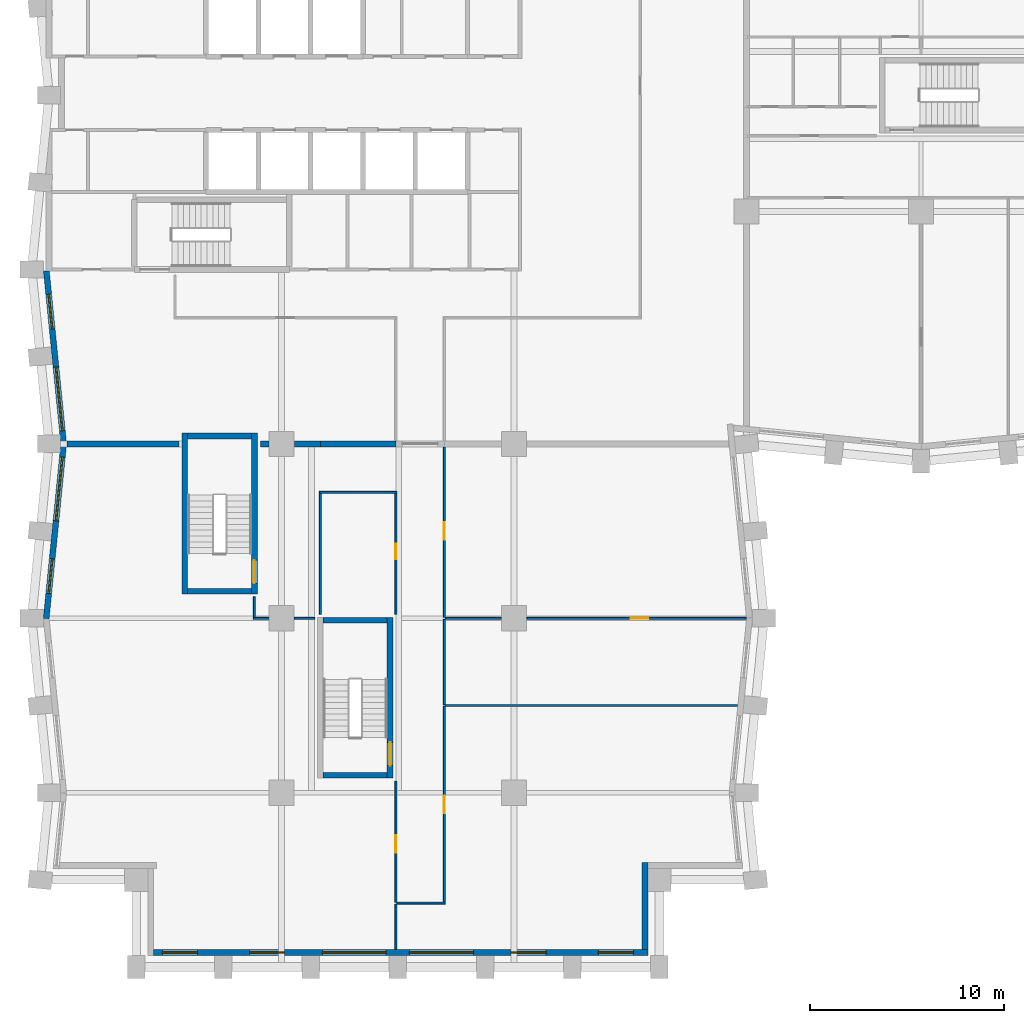
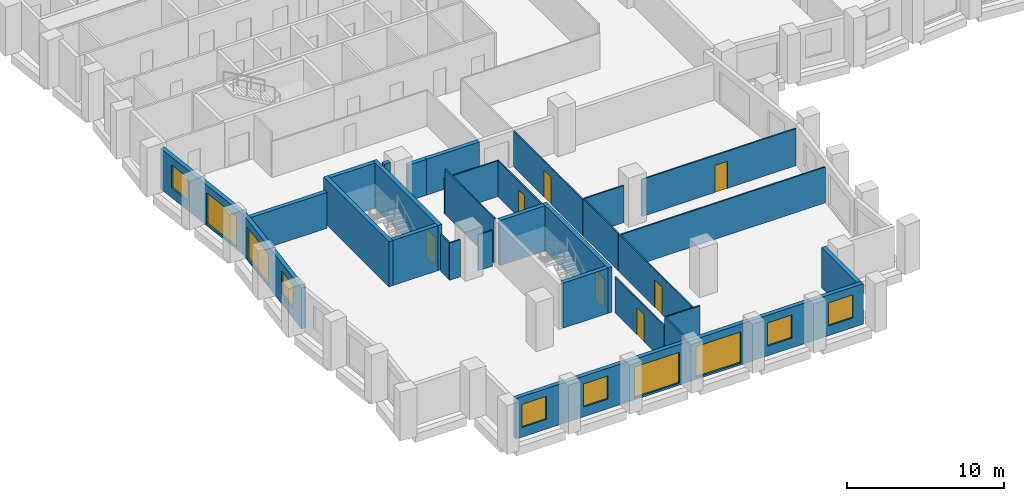
# One storey, part 3 of 11: 30 walls, 10 windows, 7 doors, 17 openings.
"""IFC4 building model written with IfcOpenShell, lengths in metres."""

from ifc_helpers import new_model, si_unit, direction, frame, frame_2d, origin, place, context, subcontext, project, spatial, rectangle, extrude, material, layer, layer_set, type_object, element, fill, save


model = new_model("IFC4")

# Units and contexts
model_context = context("Model", 3, precision=1e-05, world=origin(), true_north=direction((0.0, 1.0)))
body_context = subcontext(model_context, "Body", "Model", "MODEL_VIEW")
ifc_project = project(units=[si_unit("LENGTHUNIT", "METRE"), si_unit("AREAUNIT", "SQUARE_METRE"), si_unit("VOLUMEUNIT", "CUBIC_METRE"), si_unit("PLANEANGLEUNIT", "RADIAN"), si_unit("MASSUNIT", "GRAM", prefix="KILO")], contexts=[model_context])

# Site, building, storey
site_placement = place(None, origin())
site = spatial("IfcSite", under=ifc_project, at=site_placement, CompositionType="ELEMENT")
building_placement = place(site_placement, origin())
building = spatial("IfcBuilding", under=site, at=building_placement, Name="Brondeck Convention Tower", CompositionType="ELEMENT")
storey_placement = place(building_placement, frame((0.0, 0.0, 92.300048828125)))
storey = spatial("IfcBuildingStorey", under=building, at=storey_placement, Name="L21", CompositionType="ELEMENT", Elevation=92.300048828125)

# Walls
ifc_material_1 = material(Name="Concrete compartment wall C30/37", Category="concrete")
ifc_layer_1 = layer(ifc_material_1, 0.300048828125)
ifc_layer_set_1 = layer_set([ifc_layer_1], Name="Compartment wall 300")
wall_type_1 = type_object("IfcWallType", Name="Compartment wall 300", PredefinedType="PARTITIONING", material=ifc_layer_set_1)
wall_1_placement = place(storey_placement, frame((0.924560546875, 27.0, 0.0), z_axis=(0.0, 0.0, 1.0), x_axis=(1.0, 0.0, 0.0)))
element("IfcWall", 1, at=wall_1_placement, inside=storey, type_object=wall_type_1, Name="FLR-L21-W016", PredefinedType="PARTITIONING", context=body_context, shape_type="SweptSolid", body=[
    extrude(rectangle(XDim=5.775390625, YDim=0.300048828125, at=frame_2d((2.8876953125, 0.0))), origin(), (0.0, 0.0, 1.0), 2.780029296875),
])
wall_2_placement = place(storey_placement, frame((10.89990234375, 27.0, 0.0), z_axis=(0.0, 0.0, 1.0), x_axis=(1.0, 0.0, 0.0)))
element("IfcWall", 2, at=wall_2_placement, inside=storey, type_object=wall_type_1, Name="FLR-L21-W017", PredefinedType="PARTITIONING", context=body_context, shape_type="SweptSolid", body=[
    extrude(rectangle(XDim=0.445068359375, YDim=0.300048828125, at=frame_2d((0.22265625, 0.0))), origin(), (0.0, 0.0, 1.0), 3.47998046875),
])
wall_3_placement = place(storey_placement, frame((12.655029296875, 27.0, 0.0), z_axis=(0.0, 0.0, 1.0), x_axis=(1.0, 0.0, 0.0)))
element("IfcWall", 3, at=wall_3_placement, inside=storey, type_object=wall_type_1, Name="FLR-L21-W018", PredefinedType="PARTITIONING", context=body_context, shape_type="SweptSolid", body=[
    extrude(rectangle(XDim=1.344970703125, YDim=0.300048828125, at=frame_2d((0.67236328125, 0.0))), origin(), (0.0, 0.0, 1.0), 2.780029296875),
])
wall_4_placement = place(storey_placement, frame((14.0, 27.0, 0.0), z_axis=(0.0, 0.0, 1.0), x_axis=(1.0, 0.0, 0.0)))
element("IfcWall", 4, at=wall_4_placement, inside=storey, type_object=wall_type_1, Name="FLR-L21-W019", PredefinedType="PARTITIONING", context=body_context, shape_type="SweptSolid", body=[
    extrude(rectangle(XDim=3.89990234375, YDim=0.300048828125, at=frame_2d((1.949951171875, 0.0))), origin(), (0.0, 0.0, 1.0), 2.780029296875),
])

# Wall, openings, windows
ifc_material_2 = material(Name="Precast concrete C50/60 bronze finish", Category="concrete")
ifc_layer_2 = layer(ifc_material_2, 0.070068359375, Name="Bronze precast facing")
ifc_material_3 = material(Name="Mineral wool")
ifc_layer_3 = layer(ifc_material_3, 0.159912109375, Name="Insulation")
ifc_material_4 = material(Name="Concrete C35/45", Category="concrete")
ifc_layer_4 = layer(ifc_material_4, 0.070068359375, Name="Backing")
ifc_layer_set_2 = layer_set([ifc_layer_2, ifc_layer_3, ifc_layer_4], Name="External infill wall, precast concrete C50/60 bronze facing")
wall_type_2 = type_object("IfcWallType", Name="External infill wall, precast concrete C50/60 bronze facing", PredefinedType="SOLIDWALL", material=ifc_layer_set_2)
wall_5_placement = place(storey_placement, frame((30.89990234375, 0.75, 0.0), z_axis=(0.0, 0.0, 1.0), x_axis=(-1.0, 0.0, 0.0)))
wall_5 = element("IfcWall", 5, at=wall_5_placement, inside=storey, type_object=wall_type_2, Name="ENV-EW-L21-P0-B-S0-01", PredefinedType="SOLIDWALL", context=body_context, shape_type="SweptSolid", body=[
    extrude(rectangle(XDim=25.5, YDim=0.300048828125, at=frame_2d((12.75, 0.0))), origin(), (0.0, 0.0, 1.0), 3.14990234375),
])
opening_1_placement = place(wall_5_placement, frame((0.75, 0.0, 0.75)))
opening_1 = element("IfcOpeningElement", 6, at=opening_1_placement, cuts=wall_5, Name="Opening W10", PredefinedType="OPENING", context=body_context, shape_type="SweptSolid", body=[
    extrude(rectangle(XDim=1.800048828125, YDim=1.800048828125, at=frame_2d((0.89990234375, 0.89990234375))), frame((0.0, 0.159912109375, 0.0), z_axis=(0.0, -1.0, 0.0), x_axis=(1.0, 0.0, 0.0)), (0.0, 0.0, 1.0), 0.320068359375),
])
opening_2_placement = place(wall_5_placement, frame((5.25, 0.0, 0.75)))
opening_2 = element("IfcOpeningElement", 7, at=opening_2_placement, cuts=wall_5, Name="Opening W10", PredefinedType="OPENING", context=body_context, shape_type="SweptSolid", body=[
    extrude(rectangle(XDim=1.800048828125, YDim=1.800048828125, at=frame_2d((0.89990234375, 0.89990234375))), frame((0.0, 0.159912109375, 0.0), z_axis=(0.0, -1.0, 0.0), x_axis=(1.0, 0.0, 0.0)), (0.0, 0.0, 1.0), 0.320068359375),
])
opening_3_placement = place(wall_5_placement, frame((9.0, 0.0, 0.14990234375)))
opening_3 = element("IfcOpeningElement", 8, at=opening_3_placement, cuts=wall_5, Name="Opening W9", PredefinedType="OPENING", context=body_context, shape_type="SweptSolid", body=[
    extrude(rectangle(XDim=3.300048828125, YDim=2.39990234375, at=frame_2d((1.64990234375, 1.199951171875))), frame((0.0, 0.159912109375, 0.0), z_axis=(0.0, -1.0, 0.0), x_axis=(1.0, 0.0, 0.0)), (0.0, 0.0, 1.0), 0.320068359375),
])
opening_4_placement = place(wall_5_placement, frame((13.5, 0.0, 0.14990234375)))
opening_4 = element("IfcOpeningElement", 9, at=opening_4_placement, cuts=wall_5, Name="Opening W9", PredefinedType="OPENING", context=body_context, shape_type="SweptSolid", body=[
    extrude(rectangle(XDim=3.300048828125, YDim=2.39990234375, at=frame_2d((1.64990234375, 1.199951171875))), frame((0.0, 0.159912109375, 0.0), z_axis=(0.0, -1.0, 0.0), x_axis=(1.0, 0.0, 0.0)), (0.0, 0.0, 1.0), 0.320068359375),
])
opening_5_placement = place(wall_5_placement, frame((18.75, 0.0, 0.75)))
opening_5 = element("IfcOpeningElement", 10, at=opening_5_placement, cuts=wall_5, Name="Opening W10", PredefinedType="OPENING", context=body_context, shape_type="SweptSolid", body=[
    extrude(rectangle(XDim=1.800048828125, YDim=1.800048828125, at=frame_2d((0.89990234375, 0.89990234375))), frame((0.0, 0.159912109375, 0.0), z_axis=(0.0, -1.0, 0.0), x_axis=(1.0, 0.0, 0.0)), (0.0, 0.0, 1.0), 0.320068359375),
])
opening_6_placement = place(wall_5_placement, frame((23.25, 0.0, 0.75)))
opening_6 = element("IfcOpeningElement", 11, at=opening_6_placement, cuts=wall_5, Name="Opening W10", PredefinedType="OPENING", context=body_context, shape_type="SweptSolid", body=[
    extrude(rectangle(XDim=1.800048828125, YDim=1.800048828125, at=frame_2d((0.89990234375, 0.89990234375))), frame((0.0, 0.159912109375, 0.0), z_axis=(0.0, -1.0, 0.0), x_axis=(1.0, 0.0, 0.0)), (0.0, 0.0, 1.0), 0.320068359375),
])
ifc_material_5 = material(Name="Bronze tinted double glazing", Category="glass")
window_type_1 = type_object("IfcWindowType", Name="Glazed flute window, bronze tinted", PartitioningType="SINGLE_PANEL", PredefinedType="WINDOW", material=ifc_material_5)
window_1_placement = place(opening_3_placement, origin())
window_1 = element("IfcWindow", 12, at=window_1_placement, inside=storey, type_object=window_type_1, Name="ENV-WN-L21-P0-B-S0-04", OverallHeight=2.39990234375, OverallWidth=3.300048828125, PartitioningType="SINGLE_PANEL", PredefinedType="WINDOW", context=body_context, shape_type="SweptSolid", body=[
    extrude(rectangle(XDim=3.300048828125, YDim=2.39990234375, at=frame_2d((1.64990234375, 1.199951171875))), frame((0.0, 0.030029296875, 0.0), z_axis=(0.0, -1.0, 0.0), x_axis=(1.0, 0.0, 0.0)), (0.0, 0.0, 1.0), 0.06005859375),
])
fill(opening_3, window_1)
window_2_placement = place(opening_4_placement, origin())
window_2 = element("IfcWindow", 13, at=window_2_placement, inside=storey, type_object=window_type_1, Name="ENV-WN-L21-P0-B-S0-03", OverallHeight=2.39990234375, OverallWidth=3.300048828125, PartitioningType="SINGLE_PANEL", PredefinedType="WINDOW", context=body_context, shape_type="SweptSolid", body=[
    extrude(rectangle(XDim=3.300048828125, YDim=2.39990234375, at=frame_2d((1.64990234375, 1.199951171875))), frame((0.0, 0.030029296875, 0.0), z_axis=(0.0, -1.0, 0.0), x_axis=(1.0, 0.0, 0.0)), (0.0, 0.0, 1.0), 0.06005859375),
])
fill(opening_4, window_2)
window_type_2 = type_object("IfcWindowType", Name="Punched window, bronze tinted", PartitioningType="SINGLE_PANEL", PredefinedType="WINDOW", material=ifc_material_5)
window_3_placement = place(opening_1_placement, origin())
window_3 = element("IfcWindow", 14, at=window_3_placement, inside=storey, type_object=window_type_2, Name="ENV-WN-L21-P0-B-S0-06", OverallHeight=1.800048828125, OverallWidth=1.800048828125, PartitioningType="SINGLE_PANEL", PredefinedType="WINDOW", context=body_context, shape_type="SweptSolid", body=[
    extrude(rectangle(XDim=1.800048828125, YDim=1.800048828125, at=frame_2d((0.89990234375, 0.89990234375))), frame((0.0, 0.030029296875, 0.0), z_axis=(0.0, -1.0, 0.0), x_axis=(1.0, 0.0, 0.0)), (0.0, 0.0, 1.0), 0.06005859375),
])
fill(opening_1, window_3)
window_4_placement = place(opening_2_placement, origin())
window_4 = element("IfcWindow", 15, at=window_4_placement, inside=storey, type_object=window_type_2, Name="ENV-WN-L21-P0-B-S0-05", OverallHeight=1.800048828125, OverallWidth=1.800048828125, PartitioningType="SINGLE_PANEL", PredefinedType="WINDOW", context=body_context, shape_type="SweptSolid", body=[
    extrude(rectangle(XDim=1.800048828125, YDim=1.800048828125, at=frame_2d((0.89990234375, 0.89990234375))), frame((0.0, 0.030029296875, 0.0), z_axis=(0.0, -1.0, 0.0), x_axis=(1.0, 0.0, 0.0)), (0.0, 0.0, 1.0), 0.06005859375),
])
fill(opening_2, window_4)
window_5_placement = place(opening_5_placement, origin())
window_5 = element("IfcWindow", 16, at=window_5_placement, inside=storey, type_object=window_type_2, Name="ENV-WN-L21-P0-B-S0-02", OverallHeight=1.800048828125, OverallWidth=1.800048828125, PartitioningType="SINGLE_PANEL", PredefinedType="WINDOW", context=body_context, shape_type="SweptSolid", body=[
    extrude(rectangle(XDim=1.800048828125, YDim=1.800048828125, at=frame_2d((0.89990234375, 0.89990234375))), frame((0.0, 0.030029296875, 0.0), z_axis=(0.0, -1.0, 0.0), x_axis=(1.0, 0.0, 0.0)), (0.0, 0.0, 1.0), 0.06005859375),
])
fill(opening_5, window_5)
window_6_placement = place(opening_6_placement, origin())
window_6 = element("IfcWindow", 17, at=window_6_placement, inside=storey, type_object=window_type_2, Name="ENV-WN-L21-P0-B-S0-01", OverallHeight=1.800048828125, OverallWidth=1.800048828125, PartitioningType="SINGLE_PANEL", PredefinedType="WINDOW", context=body_context, shape_type="SweptSolid", body=[
    extrude(rectangle(XDim=1.800048828125, YDim=1.800048828125, at=frame_2d((0.89990234375, 0.89990234375))), frame((0.0, 0.030029296875, 0.0), z_axis=(0.0, -1.0, 0.0), x_axis=(1.0, 0.0, 0.0)), (0.0, 0.0, 1.0), 0.06005859375),
])
fill(opening_6, window_6)

# Wall
wall_6_placement = place(storey_placement, frame((30.75, 5.39990234375, 0.0), z_axis=(0.0, 0.0, 1.0), x_axis=(0.0, -1.0, 0.0)))
element("IfcWall", 18, at=wall_6_placement, inside=storey, type_object=wall_type_2, Name="ENV-EW-L21-P0-NC-SEB0-01", PredefinedType="SOLIDWALL", context=body_context, shape_type="SweptSolid", body=[
    extrude(rectangle(XDim=4.501953125, YDim=0.300048828125, at=frame_2d((2.2509765625, 0.0))), origin(), (0.0, 0.0, 1.0), 3.14990234375),
])

# Wall, openings, windows
wall_7_placement = place(storey_placement, frame((0.755126953125, 26.985107421875, 0.0), z_axis=(0.0, 0.0, 1.0), x_axis=(-0.099479505633, 0.995039611251, 0.0)))
wall_7 = element("IfcWall", 19, at=wall_7_placement, inside=storey, type_object=wall_type_2, Name="ENV-EW-L21-P0-B-W-06", PredefinedType="SOLIDWALL", context=body_context, shape_type="SweptSolid", body=[
    extrude(rectangle(XDim=8.98486328125, YDim=0.300048828125, at=frame_2d((4.492431640625, 0.0))), origin(), (0.0, 0.0, 1.0), 3.14990234375),
])
opening_7_placement = place(wall_7_placement, frame((0.701171875, 0.0, 0.14990234375)))
opening_7 = element("IfcOpeningElement", 20, at=opening_7_placement, cuts=wall_7, Name="Opening W9", PredefinedType="OPENING", context=body_context, shape_type="SweptSolid", body=[
    extrude(rectangle(XDim=3.300048828125, YDim=2.39990234375, at=frame_2d((1.64990234375, 1.199951171875))), frame((0.0, 0.159912109375, 0.0), z_axis=(0.0, -1.0, 0.0), x_axis=(1.0, 0.0, 0.0)), (0.0, 0.0, 1.0), 0.320068359375),
])
opening_8_placement = place(wall_7_placement, frame((5.9736328125, 0.0, 0.75)))
opening_8 = element("IfcOpeningElement", 21, at=opening_8_placement, cuts=wall_7, Name="Opening W10", PredefinedType="OPENING", context=body_context, shape_type="SweptSolid", body=[
    extrude(rectangle(XDim=1.800048828125, YDim=1.800048828125, at=frame_2d((0.89990234375, 0.89990234375))), frame((0.0, 0.159912109375, 0.0), z_axis=(0.0, -1.0, 0.0), x_axis=(1.0, 0.0, 0.0)), (0.0, 0.0, 1.0), 0.320068359375),
])
window_7_placement = place(opening_7_placement, origin())
window_7 = element("IfcWindow", 22, at=window_7_placement, inside=storey, type_object=window_type_1, Name="ENV-WN-L21-P0-B-W-07", OverallHeight=2.39990234375, OverallWidth=3.300048828125, PartitioningType="SINGLE_PANEL", PredefinedType="WINDOW", context=body_context, shape_type="SweptSolid", body=[
    extrude(rectangle(XDim=3.300048828125, YDim=2.39990234375, at=frame_2d((1.64990234375, 1.199951171875))), frame((0.0, 0.030029296875, 0.0), z_axis=(0.0, -1.0, 0.0), x_axis=(1.0, 0.0, 0.0)), (0.0, 0.0, 1.0), 0.06005859375),
])
fill(opening_7, window_7)
window_8_placement = place(opening_8_placement, origin())
window_8 = element("IfcWindow", 23, at=window_8_placement, inside=storey, type_object=window_type_2, Name="ENV-WN-L21-P0-B-W-06", OverallHeight=1.800048828125, OverallWidth=1.800048828125, PartitioningType="SINGLE_PANEL", PredefinedType="WINDOW", context=body_context, shape_type="SweptSolid", body=[
    extrude(rectangle(XDim=1.800048828125, YDim=1.800048828125, at=frame_2d((0.89990234375, 0.89990234375))), frame((0.0, 0.030029296875, 0.0), z_axis=(0.0, -1.0, 0.0), x_axis=(1.0, 0.0, 0.0)), (0.0, 0.0, 1.0), 0.06005859375),
])
fill(opening_8, window_8)

wall_8_placement = place(storey_placement, frame((-0.147705078125, 17.985107421875, 0.0), z_axis=(0.0, 0.0, 1.0), x_axis=(0.099495688264, 0.995037993253, 0.0)))
wall_8 = element("IfcWall", 24, at=wall_8_placement, inside=storey, type_object=wall_type_2, Name="ENV-EW-L21-P0-B-W-08", PredefinedType="SOLIDWALL", context=body_context, shape_type="SweptSolid", body=[
    extrude(rectangle(XDim=9.030029296875, YDim=0.300048828125, at=frame_2d((4.51513671875, 0.0))), origin(), (0.0, 0.0, 1.0), 3.14990234375),
])
opening_9_placement = place(wall_8_placement, frame((1.30126953125, 0.0, 0.75)))
opening_9 = element("IfcOpeningElement", 25, at=opening_9_placement, cuts=wall_8, Name="Opening W10", PredefinedType="OPENING", context=body_context, shape_type="SweptSolid", body=[
    extrude(rectangle(XDim=1.800048828125, YDim=1.800048828125, at=frame_2d((0.89990234375, 0.89990234375))), frame((0.0, 0.159912109375, 0.0), z_axis=(0.0, -1.0, 0.0), x_axis=(1.0, 0.0, 0.0)), (0.0, 0.0, 1.0), 0.320068359375),
])
opening_10_placement = place(wall_8_placement, frame((5.073486328125, 0.0, 0.14990234375)))
opening_10 = element("IfcOpeningElement", 26, at=opening_10_placement, cuts=wall_8, Name="Opening W9", PredefinedType="OPENING", context=body_context, shape_type="SweptSolid", body=[
    extrude(rectangle(XDim=3.300048828125, YDim=2.39990234375, at=frame_2d((1.64990234375, 1.199951171875))), frame((0.0, 0.159912109375, 0.0), z_axis=(0.0, -1.0, 0.0), x_axis=(1.0, 0.0, 0.0)), (0.0, 0.0, 1.0), 0.320068359375),
])
window_9_placement = place(opening_10_placement, origin())
window_9 = element("IfcWindow", 27, at=window_9_placement, inside=storey, type_object=window_type_1, Name="ENV-WN-L21-P0-B-W-08", OverallHeight=2.39990234375, OverallWidth=3.300048828125, PartitioningType="SINGLE_PANEL", PredefinedType="WINDOW", context=body_context, shape_type="SweptSolid", body=[
    extrude(rectangle(XDim=3.300048828125, YDim=2.39990234375, at=frame_2d((1.64990234375, 1.199951171875))), frame((0.0, 0.030029296875, 0.0), z_axis=(0.0, -1.0, 0.0), x_axis=(1.0, 0.0, 0.0)), (0.0, 0.0, 1.0), 0.06005859375),
])
fill(opening_10, window_9)
window_10_placement = place(opening_9_placement, origin())
window_10 = element("IfcWindow", 28, at=window_10_placement, inside=storey, type_object=window_type_2, Name="ENV-WN-L21-P0-B-W-09", OverallHeight=1.800048828125, OverallWidth=1.800048828125, PartitioningType="SINGLE_PANEL", PredefinedType="WINDOW", context=body_context, shape_type="SweptSolid", body=[
    extrude(rectangle(XDim=1.800048828125, YDim=1.800048828125, at=frame_2d((0.89990234375, 0.89990234375))), frame((0.0, 0.030029296875, 0.0), z_axis=(0.0, -1.0, 0.0), x_axis=(1.0, 0.0, 0.0)), (0.0, 0.0, 1.0), 0.06005859375),
])
fill(opening_9, window_10)

# Walls
ifc_material_6 = material(Name="Gypsum board partition on steel studs", Category="steel")
ifc_layer_5 = layer(ifc_material_6, 0.10009765625)
ifc_layer_set_3 = layer_set([ifc_layer_5], Name="Room partition 100")
wall_type_3 = type_object("IfcWallType", Name="Room partition 100", PredefinedType="PARTITIONING", material=ifc_layer_set_3)
wall_9_placement = place(storey_placement, frame((17.89990234375, 0.919921875, 0.0), z_axis=(0.0, 0.0, 1.0), x_axis=(0.0, 1.0, 0.0)))
element("IfcWall", 29, at=wall_9_placement, inside=storey, type_object=wall_type_3, Name="FLR-L21-W001", PredefinedType="PARTITIONING", context=body_context, shape_type="SweptSolid", body=[
    extrude(rectangle(XDim=2.330078125, YDim=0.10009765625, at=frame_2d((1.1650390625, 0.0))), origin(), (0.0, 0.0, 1.0), 3.47998046875),
])
wall_10_placement = place(storey_placement, frame((20.449951171875, 3.300048828125, 0.0), z_axis=(0.0, 0.0, 1.0), x_axis=(-1.0, 0.0, 0.0)))
element("IfcWall", 30, at=wall_10_placement, inside=storey, type_object=wall_type_3, Name="FLR-L21-W002", PredefinedType="PARTITIONING", context=body_context, shape_type="SweptSolid", body=[
    extrude(rectangle(XDim=2.5, YDim=0.10009765625, at=frame_2d((1.25, 0.0))), origin(), (0.0, 0.0, 1.0), 3.47998046875),
])

# Wall, opening, door
wall_11_placement = place(storey_placement, frame((17.89990234375, 3.35009765625, 0.0), z_axis=(0.0, 0.0, 1.0), x_axis=(0.0, 1.0, 0.0)))
wall_11 = element("IfcWall", 31, at=wall_11_placement, inside=storey, type_object=wall_type_3, Name="FLR-L21-W003", PredefinedType="PARTITIONING", context=body_context, shape_type="SweptSolid", body=[
    extrude(rectangle(XDim=6.25, YDim=0.10009765625, at=frame_2d((3.125, 0.0))), origin(), (0.0, 0.0, 1.0), 2.780029296875),
])
opening_11_placement = place(wall_11_placement, frame((2.550048828125, 0.0, 0.0)))
opening_11 = element("IfcOpeningElement", 32, at=opening_11_placement, cuts=wall_11, Name="Opening OF-A-021", PredefinedType="OPENING", context=body_context, shape_type="SweptSolid", body=[
    extrude(rectangle(XDim=0.89990234375, YDim=2.10009765625, at=frame_2d((0.449951171875, 1.050048828125))), frame((0.0, 0.06005859375, 0.0), z_axis=(0.0, -1.0, 0.0), x_axis=(1.0, 0.0, 0.0)), (0.0, 0.0, 1.0), 0.1201171875),
])
ifc_material_7 = material(Name="Solid timber door leaf", Category="wood")
door_type_1 = type_object("IfcDoorType", Name="Single door 900", OperationType="NOTDEFINED", PredefinedType="DOOR", material=ifc_material_7)
door_1_placement = place(opening_11_placement, origin())
door_1 = element("IfcDoor", 33, at=door_1_placement, inside=storey, type_object=door_type_1, Name="Door OF-A-021", OperationType="SINGLE_SWING_LEFT", OverallHeight=2.10009765625, OverallWidth=0.89990234375, PredefinedType="DOOR", context=body_context, shape_type="SweptSolid", body=[
    extrude(rectangle(XDim=0.89990234375, YDim=2.10009765625, at=frame_2d((0.449951171875, 1.050048828125))), frame((0.0, 0.02490234375, 0.0), z_axis=(0.0, -1.0, 0.0), x_axis=(1.0, 0.0, 0.0)), (0.0, 0.0, 1.0), 0.050048828125),
])
fill(opening_11, door_1)

wall_12_placement = place(storey_placement, frame((20.39990234375, 13.449951171875, 0.0), z_axis=(0.0, 0.0, 1.0), x_axis=(0.0, -1.0, 0.0)))
wall_12 = element("IfcWall", 34, at=wall_12_placement, inside=storey, type_object=wall_type_3, Name="FLR-L21-W004", PredefinedType="PARTITIONING", context=body_context, shape_type="SweptSolid", body=[
    extrude(rectangle(XDim=10.099853515625, YDim=0.10009765625, at=frame_2d((5.0498046875, 0.0))), origin(), (0.0, 0.0, 1.0), 2.8798828125),
])
opening_12_placement = place(wall_12_placement, frame((4.60009765625, 0.0, 0.0)))
opening_12 = element("IfcOpeningElement", 35, at=opening_12_placement, cuts=wall_12, Name="Opening OF-A-020", PredefinedType="OPENING", context=body_context, shape_type="SweptSolid", body=[
    extrude(rectangle(XDim=0.89990234375, YDim=2.10009765625, at=frame_2d((0.449951171875, 1.050048828125))), frame((0.0, 0.06005859375, 0.0), z_axis=(0.0, -1.0, 0.0), x_axis=(1.0, 0.0, 0.0)), (0.0, 0.0, 1.0), 0.1201171875),
])
door_2_placement = place(opening_12_placement, origin())
door_2 = element("IfcDoor", 36, at=door_2_placement, inside=storey, type_object=door_type_1, Name="Door OF-A-020", OperationType="SINGLE_SWING_LEFT", OverallHeight=2.10009765625, OverallWidth=0.89990234375, PredefinedType="DOOR", context=body_context, shape_type="SweptSolid", body=[
    extrude(rectangle(XDim=0.89990234375, YDim=2.10009765625, at=frame_2d((0.449951171875, 1.050048828125))), frame((0.0, 0.02490234375, 0.0), z_axis=(0.0, -1.0, 0.0), x_axis=(1.0, 0.0, 0.0)), (0.0, 0.0, 1.0), 0.050048828125),
])
fill(opening_12, door_2)

# Walls
wall_13_placement = place(storey_placement, frame((35.525390625, 13.5, 0.0), z_axis=(0.0, 0.0, 1.0), x_axis=(-1.0, 0.0, 0.0)))
element("IfcWall", 37, at=wall_13_placement, inside=storey, type_object=wall_type_3, Name="FLR-L21-W005", PredefinedType="PARTITIONING", context=body_context, shape_type="SweptSolid", body=[
    extrude(rectangle(XDim=15.075439453125, YDim=0.10009765625, at=frame_2d((7.53759765625, 0.0))), origin(), (0.0, 0.0, 1.0), 2.780029296875),
])
wall_14_placement = place(storey_placement, frame((20.39990234375, 17.949951171875, 0.0), z_axis=(0.0, 0.0, 1.0), x_axis=(0.0, -1.0, 0.0)))
element("IfcWall", 38, at=wall_14_placement, inside=storey, type_object=wall_type_3, Name="FLR-L21-W006", PredefinedType="PARTITIONING", context=body_context, shape_type="SweptSolid", body=[
    extrude(rectangle(XDim=4.39990234375, YDim=0.10009765625, at=frame_2d((2.199951171875, 0.0))), origin(), (0.0, 0.0, 1.0), 2.8798828125),
])
wall_15_placement = place(storey_placement, frame((11.344970703125, 18.0, 0.0), z_axis=(0.0, 0.0, 1.0), x_axis=(-1.0, 0.0, 0.0)))
element("IfcWall", 39, at=wall_15_placement, inside=storey, type_object=wall_type_3, Name="FLR-L21-W007", PredefinedType="PARTITIONING", context=body_context, shape_type="SweptSolid", body=[
    extrude(rectangle(XDim=0.794921875, YDim=0.10009765625, at=frame_2d((0.3974609375, 0.0))), origin(), (0.0, 0.0, 1.0), 2.8798828125),
])
wall_16_placement = place(storey_placement, frame((13.699951171875, 18.0, 0.0), z_axis=(0.0, 0.0, 1.0), x_axis=(-1.0, 0.0, 0.0)))
element("IfcWall", 40, at=wall_16_placement, inside=storey, type_object=wall_type_3, Name="FLR-L21-W008", PredefinedType="PARTITIONING", context=body_context, shape_type="SweptSolid", body=[
    extrude(rectangle(XDim=1.044921875, YDim=0.10009765625, at=frame_2d((0.5224609375, 0.0))), origin(), (0.0, 0.0, 1.0), 2.780029296875),
])
wall_17_placement = place(storey_placement, frame((23.344970703125, 18.0, 0.0), z_axis=(0.0, 0.0, 1.0), x_axis=(-1.0, 0.0, 0.0)))
element("IfcWall", 41, at=wall_17_placement, inside=storey, type_object=wall_type_3, Name="FLR-L21-W009", PredefinedType="PARTITIONING", context=body_context, shape_type="SweptSolid", body=[
    extrude(rectangle(XDim=2.89501953125, YDim=0.10009765625, at=frame_2d((1.447509765625, 0.0))), origin(), (0.0, 0.0, 1.0), 2.8798828125),
])

# Wall, opening, door
wall_18_placement = place(storey_placement, frame((35.9755859375, 18.0, 0.0), z_axis=(0.0, 0.0, 1.0), x_axis=(-1.0, 0.0, 0.0)))
wall_18 = element("IfcWall", 42, at=wall_18_placement, inside=storey, type_object=wall_type_3, Name="FLR-L21-W010", PredefinedType="PARTITIONING", context=body_context, shape_type="SweptSolid", body=[
    extrude(rectangle(XDim=11.320556640625, YDim=0.10009765625, at=frame_2d((5.66015625, 0.0))), origin(), (0.0, 0.0, 1.0), 2.8798828125),
])
opening_13_placement = place(wall_18_placement, frame((5.050537109375, 0.0, 0.0)))
opening_13 = element("IfcOpeningElement", 43, at=opening_13_placement, cuts=wall_18, Name="Opening OF-A-019", PredefinedType="OPENING", context=body_context, shape_type="SweptSolid", body=[
    extrude(rectangle(XDim=0.89990234375, YDim=2.10009765625, at=frame_2d((0.449951171875, 1.050048828125))), frame((0.0, 0.06005859375, 0.0), z_axis=(0.0, -1.0, 0.0), x_axis=(1.0, 0.0, 0.0)), (0.0, 0.0, 1.0), 0.1201171875),
])
door_3_placement = place(opening_13_placement, origin())
door_3 = element("IfcDoor", 44, at=door_3_placement, inside=storey, type_object=door_type_1, Name="Door OF-A-019", OperationType="SINGLE_SWING_LEFT", OverallHeight=2.10009765625, OverallWidth=0.89990234375, PredefinedType="DOOR", context=body_context, shape_type="SweptSolid", body=[
    extrude(rectangle(XDim=0.89990234375, YDim=2.10009765625, at=frame_2d((0.449951171875, 1.050048828125))), frame((0.0, 0.02490234375, 0.0), z_axis=(0.0, -1.0, 0.0), x_axis=(1.0, 0.0, 0.0)), (0.0, 0.0, 1.0), 0.050048828125),
])
fill(opening_13, door_3)

# Wall
wall_19_placement = place(storey_placement, frame((10.60009765625, 18.050048828125, 0.0), z_axis=(0.0, 0.0, 1.0), x_axis=(0.0, 1.0, 0.0)))
element("IfcWall", 45, at=wall_19_placement, inside=storey, type_object=wall_type_3, Name="FLR-L21-W011", PredefinedType="PARTITIONING", context=body_context, shape_type="SweptSolid", body=[
    extrude(rectangle(XDim=1.050048828125, YDim=0.10009765625, at=frame_2d((0.52490234375, 0.0))), origin(), (0.0, 0.0, 1.0), 2.8798828125),
])

# Wall, opening, door
wall_20_placement = place(storey_placement, frame((17.89990234375, 18.199951171875, 0.0), z_axis=(0.0, 0.0, 1.0), x_axis=(0.0, 1.0, 0.0)))
wall_20 = element("IfcWall", 46, at=wall_20_placement, inside=storey, type_object=wall_type_3, Name="FLR-L21-W012", PredefinedType="PARTITIONING", context=body_context, shape_type="SweptSolid", body=[
    extrude(rectangle(XDim=6.25, YDim=0.10009765625, at=frame_2d((3.125, 0.0))), origin(), (0.0, 0.0, 1.0), 2.780029296875),
])
opening_14_placement = place(wall_20_placement, frame((2.85009765625, 0.0, 0.0)))
opening_14 = element("IfcOpeningElement", 47, at=opening_14_placement, cuts=wall_20, Name="Opening OF-A-001", PredefinedType="OPENING", context=body_context, shape_type="SweptSolid", body=[
    extrude(rectangle(XDim=0.800048828125, YDim=2.10009765625, at=frame_2d((0.39990234375, 1.050048828125))), frame((0.0, 0.06005859375, 0.0), z_axis=(0.0, -1.0, 0.0), x_axis=(1.0, 0.0, 0.0)), (0.0, 0.0, 1.0), 0.1201171875),
])
ifc_material_8 = material(Name="Steel service door leaf", Category="steel")
door_type_2 = type_object("IfcDoorType", Name="Service door 800", OperationType="NOTDEFINED", PredefinedType="DOOR", material=ifc_material_8)
door_4_placement = place(opening_14_placement, origin())
door_4 = element("IfcDoor", 48, at=door_4_placement, inside=storey, type_object=door_type_2, Name="Door OF-A-001", OperationType="SINGLE_SWING_LEFT", OverallHeight=2.10009765625, OverallWidth=0.800048828125, PredefinedType="DOOR", context=body_context, shape_type="SweptSolid", body=[
    extrude(rectangle(XDim=0.800048828125, YDim=2.10009765625, at=frame_2d((0.39990234375, 1.050048828125))), frame((0.0, 0.02490234375, 0.0), z_axis=(0.0, -1.0, 0.0), x_axis=(1.0, 0.0, 0.0)), (0.0, 0.0, 1.0), 0.050048828125),
])
fill(opening_14, door_4)

# Walls
wall_21_placement = place(storey_placement, frame((14.0, 24.449951171875, 0.0), z_axis=(0.0, 0.0, 1.0), x_axis=(0.0, -1.0, 0.0)))
element("IfcWall", 49, at=wall_21_placement, inside=storey, type_object=wall_type_3, Name="FLR-L21-W013", PredefinedType="PARTITIONING", context=body_context, shape_type="SweptSolid", body=[
    extrude(rectangle(XDim=6.25, YDim=0.10009765625, at=frame_2d((3.125, 0.0))), origin(), (0.0, 0.0, 1.0), 3.47998046875),
])
wall_22_placement = place(storey_placement, frame((17.949951171875, 24.5, 0.0), z_axis=(0.0, 0.0, 1.0), x_axis=(-1.0, 0.0, 0.0)))
element("IfcWall", 50, at=wall_22_placement, inside=storey, type_object=wall_type_3, Name="FLR-L21-W014", PredefinedType="PARTITIONING", context=body_context, shape_type="SweptSolid", body=[
    extrude(rectangle(XDim=4.0, YDim=0.10009765625, at=frame_2d((2.0, 0.0))), origin(), (0.0, 0.0, 1.0), 2.780029296875),
])

# Wall, opening, door
wall_23_placement = place(storey_placement, frame((20.39990234375, 26.830078125, 0.0), z_axis=(0.0, 0.0, 1.0), x_axis=(0.0, -1.0, 0.0)))
wall_23 = element("IfcWall", 51, at=wall_23_placement, inside=storey, type_object=wall_type_3, Name="FLR-L21-W015", PredefinedType="PARTITIONING", context=body_context, shape_type="SweptSolid", body=[
    extrude(rectangle(XDim=8.780029296875, YDim=0.10009765625, at=frame_2d((4.39013671875, 0.0))), origin(), (0.0, 0.0, 1.0), 2.780029296875),
])
opening_15_placement = place(wall_23_placement, frame((3.8798828125, 0.0, 0.0)))
opening_15 = element("IfcOpeningElement", 52, at=opening_15_placement, cuts=wall_23, Name="Opening OF-A-018", PredefinedType="OPENING", context=body_context, shape_type="SweptSolid", body=[
    extrude(rectangle(XDim=0.89990234375, YDim=2.10009765625, at=frame_2d((0.449951171875, 1.050048828125))), frame((0.0, 0.06005859375, 0.0), z_axis=(0.0, -1.0, 0.0), x_axis=(1.0, 0.0, 0.0)), (0.0, 0.0, 1.0), 0.1201171875),
])
door_5_placement = place(opening_15_placement, origin())
door_5 = element("IfcDoor", 53, at=door_5_placement, inside=storey, type_object=door_type_1, Name="Door OF-A-018", OperationType="SINGLE_SWING_LEFT", OverallHeight=2.10009765625, OverallWidth=0.89990234375, PredefinedType="DOOR", context=body_context, shape_type="SweptSolid", body=[
    extrude(rectangle(XDim=0.89990234375, YDim=2.10009765625, at=frame_2d((0.449951171875, 1.050048828125))), frame((0.0, 0.02490234375, 0.0), z_axis=(0.0, -1.0, 0.0), x_axis=(1.0, 0.0, 0.0)), (0.0, 0.0, 1.0), 0.050048828125),
])
fill(opening_15, door_5)

# Walls
ifc_material_9 = material(Name="Concrete C70/85", Category="concrete")
ifc_layer_6 = layer(ifc_material_9, 0.300048828125)
ifc_layer_set_4 = layer_set([ifc_layer_6], Name="Stair enclosure wall 300 Concrete C70/85")
wall_type_4 = type_object("IfcWallType", Name="Stair enclosure wall 300 Concrete C70/85", PredefinedType="SHEAR", material=ifc_layer_set_4)
for number, where, z_axis, x_axis, name in (
    (54, (14.14990234375, 9.89990234375, 0.0), (0.0, 0.0, 1.0), (1.0, 0.0, 0.0), "L21 core wall"),
    (55, (14.14990234375, 17.89990234375, 0.0), (0.0, 0.0, 1.0), (1.0, 0.0, 0.0), "L21 core wall"),
    (56, (7.14990234375, 19.39990234375, 0.0), (0.0, 0.0, 1.0), (1.0, 0.0, 0.0), "L21 core wall"),
    (57, (7.14990234375, 27.39990234375, 0.0), (0.0, 0.0, 1.0), (1.0, 0.0, 0.0), "L21 core wall"),
):
    element("IfcWall", number, at=place(storey_placement, frame(where, z_axis=z_axis, x_axis=x_axis)), inside=storey, type_object=wall_type_4, Name=name, PredefinedType="SHEAR", context=body_context, shape_type="SweptSolid", body=[
        extrude(rectangle(XDim=3.300048828125, YDim=0.300048828125, at=frame_2d((1.64990234375, 0.0))), origin(), (0.0, 0.0, 1.0), 3.5),
    ])
wall_24_placement = place(storey_placement, frame((7.0, 19.25, 0.0), z_axis=(0.0, 0.0, 1.0), x_axis=(0.0, 1.0, 0.0)))
element("IfcWall", 58, at=wall_24_placement, inside=storey, type_object=wall_type_4, Name="L21 core wall", PredefinedType="SHEAR", context=body_context, shape_type="SweptSolid", body=[
    extrude(rectangle(XDim=8.300048828125, YDim=0.300048828125, at=frame_2d((4.14990234375, 0.0))), origin(), (0.0, 0.0, 1.0), 3.5),
])

# Wall, opening, door
wall_25_placement = place(storey_placement, frame((10.60009765625, 19.25, 0.0), z_axis=(0.0, 0.0, 1.0), x_axis=(0.0, 1.0, 0.0)))
wall_25 = element("IfcWall", 59, at=wall_25_placement, inside=storey, type_object=wall_type_4, Name="L21 core wall", PredefinedType="SHEAR", context=body_context, shape_type="SweptSolid", body=[
    extrude(rectangle(XDim=8.300048828125, YDim=0.300048828125, at=frame_2d((4.14990234375, 0.0))), origin(), (0.0, 0.0, 1.0), 3.5),
])
opening_16_placement = place(wall_25_placement, frame((0.550048828125, 0.0, 0.0)))
opening_16 = element("IfcOpeningElement", 60, at=opening_16_placement, cuts=wall_25, Name="Opening C14-22", PredefinedType="OPENING", context=body_context, shape_type="SweptSolid", body=[
    extrude(rectangle(XDim=1.199951171875, YDim=2.199951171875, at=frame_2d((0.60009765625, 1.10009765625))), frame((0.0, 0.159912109375, 0.0), z_axis=(0.0, -1.0, 0.0), x_axis=(1.0, 0.0, 0.0)), (0.0, 0.0, 1.0), 0.320068359375),
])
ifc_material_10 = material(Name="Steel fire door", Category="steel")
door_type_3 = type_object("IfcDoorType", Name="Stair door 1200x2200 EI 90", OperationType="NOTDEFINED", PredefinedType="DOOR", material=ifc_material_10)
door_6_placement = place(opening_16_placement, origin())
door_6 = element("IfcDoor", 61, at=door_6_placement, inside=storey, type_object=door_type_3, Name="L21 Stair door ST-BE", OperationType="SINGLE_SWING_RIGHT", OverallHeight=2.199951171875, OverallWidth=1.199951171875, PredefinedType="DOOR", context=body_context, shape_type="SweptSolid", body=[
    extrude(rectangle(XDim=1.199951171875, YDim=2.199951171875, at=frame_2d((0.60009765625, 1.10009765625))), frame((0.0, 0.02490234375, 0.0), z_axis=(0.0, -1.0, 0.0), x_axis=(1.0, 0.0, 0.0)), (0.0, 0.0, 1.0), 0.050048828125),
])
fill(opening_16, door_6)

wall_26_placement = place(storey_placement, frame((17.60009765625, 9.75, 0.0), z_axis=(0.0, 0.0, 1.0), x_axis=(0.0, 1.0, 0.0)))
wall_26 = element("IfcWall", 62, at=wall_26_placement, inside=storey, type_object=wall_type_4, Name="L21 core wall", PredefinedType="SHEAR", context=body_context, shape_type="SweptSolid", body=[
    extrude(rectangle(XDim=8.300048828125, YDim=0.300048828125, at=frame_2d((4.14990234375, 0.0))), origin(), (0.0, 0.0, 1.0), 3.5),
])
opening_17_placement = place(wall_26_placement, frame((0.64990234375, 0.0, 0.0)))
opening_17 = element("IfcOpeningElement", 63, at=opening_17_placement, cuts=wall_26, Name="Opening C14-23", PredefinedType="OPENING", context=body_context, shape_type="SweptSolid", body=[
    extrude(rectangle(XDim=1.199951171875, YDim=2.199951171875, at=frame_2d((0.60009765625, 1.10009765625))), frame((0.0, 0.159912109375, 0.0), z_axis=(0.0, -1.0, 0.0), x_axis=(1.0, 0.0, 0.0)), (0.0, 0.0, 1.0), 0.320068359375),
])
door_7_placement = place(opening_17_placement, origin())
door_7 = element("IfcDoor", 64, at=door_7_placement, inside=storey, type_object=door_type_3, Name="L21 Stair door ST-BF", OperationType="SINGLE_SWING_LEFT", OverallHeight=2.199951171875, OverallWidth=1.199951171875, PredefinedType="DOOR", context=body_context, shape_type="SweptSolid", body=[
    extrude(rectangle(XDim=1.199951171875, YDim=2.199951171875, at=frame_2d((0.60009765625, 1.10009765625))), frame((0.0, 0.02490234375, 0.0), z_axis=(0.0, -1.0, 0.0), x_axis=(1.0, 0.0, 0.0)), (0.0, 0.0, 1.0), 0.050048828125),
])
fill(opening_17, door_7)

save(model, "model.ifc")
